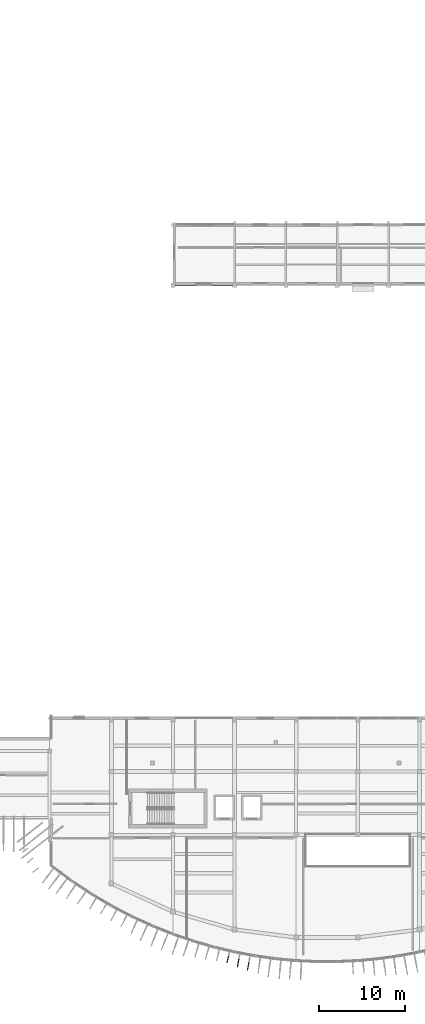
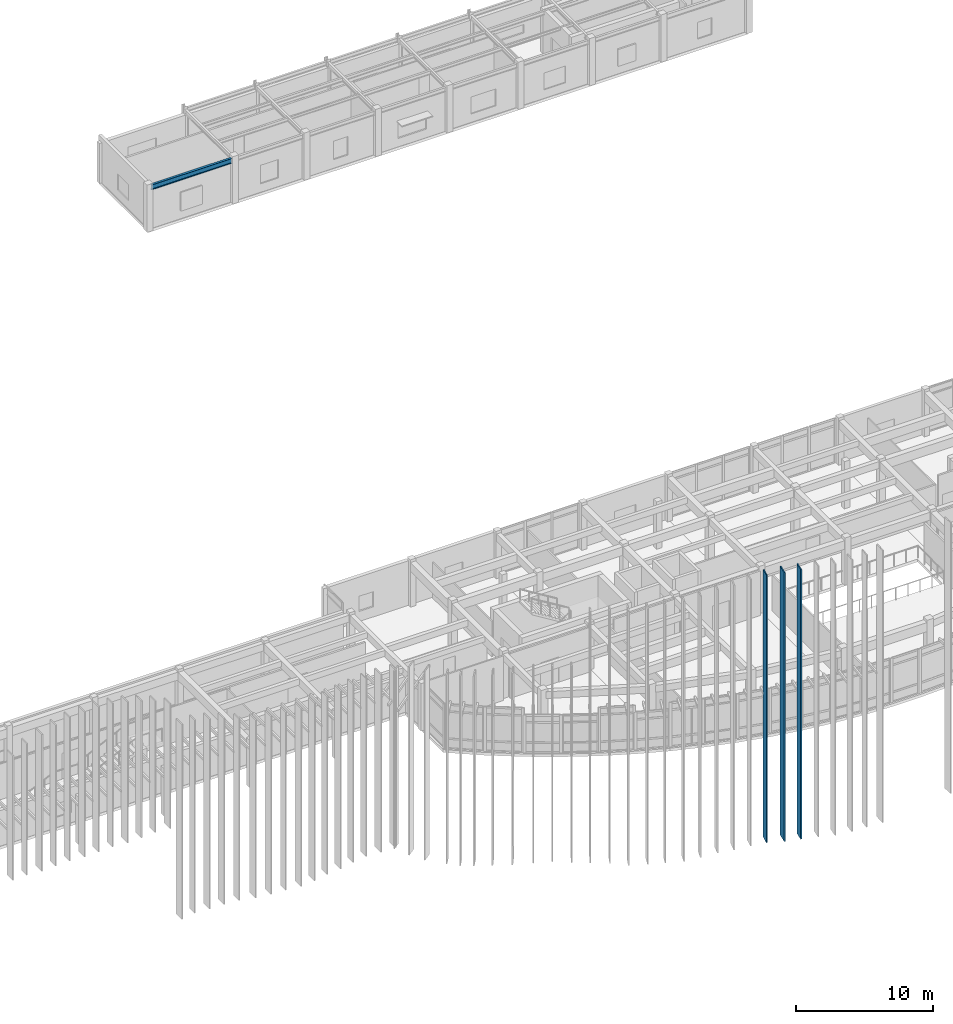
# One storey, part 16 of 47: 3 members, 1 beam.
"""IFC4 building model written with IfcOpenShell, lengths in metres."""

from ifc_helpers import new_model, si_unit, direction, frame, origin, origin_2d, place, context, subcontext, project, spatial, rectangle, i_section, extrude, material, material_profile, profile_set, type_object, element, save


model = new_model("IFC4")

# Units and contexts
model_context = context("Model", 3, precision=1e-05, world=origin(), true_north=direction((0.0, 1.0)))
body_context = subcontext(model_context, "Body", "Model", "MODEL_VIEW")
ifc_project = project(units=[si_unit("LENGTHUNIT", "METRE"), si_unit("AREAUNIT", "SQUARE_METRE"), si_unit("VOLUMEUNIT", "CUBIC_METRE"), si_unit("PLANEANGLEUNIT", "RADIAN"), si_unit("MASSUNIT", "GRAM", prefix="KILO")], contexts=[model_context])

# Site, building, storey
site_placement = place(None, origin())
site = spatial("IfcSite", under=ifc_project, at=site_placement, CompositionType="ELEMENT")
building_placement = place(site_placement, origin())
building = spatial("IfcBuilding", under=site, at=building_placement, Name="Brisavento Harbour Community Centre", CompositionType="ELEMENT")
storey_placement = place(building_placement, frame((0.0, 0.0, 8.699951171875)))
storey = spatial("IfcBuildingStorey", under=building, at=storey_placement, Name="L02", CompositionType="ELEMENT", Elevation=8.699951171875)

# Beam
ifc_material_1 = material(Name="Steel S355", Category="steel")
ifc_material_profile_1 = material_profile(ifc_material_1, i_section(OverallWidth=0.18994140625, OverallDepth=0.449951171875, WebThickness=0.009521484375, FlangeThickness=0.0146484375, FilletRadius=0.02099609375, at=origin_2d()), Name="Steel S355")
ifc_profile_set_1 = profile_set([ifc_material_profile_1], Name="Steel S355")
beam_type = type_object("IfcBeamType", Name="BM-STL-IPE450", PredefinedType="BEAM", material=ifc_profile_set_1)
beam_placement = place(storey_placement, frame((122.6201171875, 79.199951171875, 3.735107421875), z_axis=(1.0, 0.0, 0.0), x_axis=(0.0, 1.0, 0.0)))
element("IfcBeam", 1, at=beam_placement, inside=storey, type_object=beam_type, Name="L02 primary girder X0572", PredefinedType="BEAM", context=body_context, shape_type="SweptSolid", body=[
    extrude(i_section(OverallWidth=0.18994140625, OverallDepth=0.449951171875, WebThickness=0.009521484375, FlangeThickness=0.0146484375, FilletRadius=0.02099609375, at=origin_2d()), origin(), (0.0, 0.0, 1.0), 6.759765625),
])

# Members
ifc_material_2 = material(Name="Off-white marine-anodised aluminium AW-6063-T6", Category="aluminium")
ifc_material_profile_2 = material_profile(ifc_material_2, rectangle(XDim=0.090087890625, YDim=0.89990234375, at=origin_2d()), Name="Off-white marine-anodised aluminium AW-6063-T6")
ifc_profile_set_2 = profile_set([ifc_material_profile_2], Name="Off-white marine-anodised aluminium AW-6063-T6")
member_type_1 = type_object("IfcMemberType", Name="FIN-STORM-1", PredefinedType="USERDEFINED", material=ifc_profile_set_2)
member_1_placement = place(storey_placement, frame((130.00927734375, 0.00634765625, -8.699951171875), z_axis=(0.0, 0.0, 1.0), x_axis=(-0.982800241691, 0.184671830369, 0.0)))
element("IfcMember", 2, at=member_1_placement, inside=storey, type_object=member_type_1, Name="Standing-clear white storm fin 112", ObjectType="FIN", PredefinedType="USERDEFINED", context=body_context, shape_type="SweptSolid", body=[
    extrude(rectangle(XDim=0.090087890625, YDim=0.89990234375, at=origin_2d()), origin(), (0.0, 0.0, 1.0), 23.884521484375),
])
ifc_material_profile_3 = material_profile(ifc_material_2, rectangle(XDim=0.087890625, YDim=0.840087890625, at=origin_2d()), Name="Off-white marine-anodised aluminium AW-6063-T6")
ifc_profile_set_3 = profile_set([ifc_material_profile_3], Name="Off-white marine-anodised aluminium AW-6063-T6")
member_type_2 = type_object("IfcMemberType", Name="FIN-STORM-2", PredefinedType="USERDEFINED", material=ifc_profile_set_3)
member_2_placement = place(storey_placement, frame((131.178466796875, -0.38330078125, -8.699951171875), z_axis=(0.0, 0.0, 1.0), x_axis=(-0.982800241691, 0.184671830369, 0.0)))
element("IfcMember", 3, at=member_2_placement, inside=storey, type_object=member_type_2, Name="Standing-clear white storm fin 113", ObjectType="FIN", PredefinedType="USERDEFINED", context=body_context, shape_type="SweptSolid", body=[
    extrude(rectangle(XDim=0.087890625, YDim=0.840087890625, at=origin_2d()), origin(), (0.0, 0.0, 1.0), 23.970947265625),
])
ifc_material_profile_4 = material_profile(ifc_material_2, rectangle(XDim=0.0849609375, YDim=0.780029296875, at=origin_2d()), Name="Off-white marine-anodised aluminium AW-6063-T6")
ifc_profile_set_4 = profile_set([ifc_material_profile_4], Name="Off-white marine-anodised aluminium AW-6063-T6")
member_type_3 = type_object("IfcMemberType", Name="FIN-STORM-3", PredefinedType="USERDEFINED", material=ifc_profile_set_4)
member_3_placement = place(storey_placement, frame((128.802490234375, 0.443115234375, -8.699951171875), z_axis=(0.0, 0.0, 1.0), x_axis=(-0.972993863389, 0.230830981037, 0.0)))
element("IfcMember", 4, at=member_3_placement, inside=storey, type_object=member_type_3, Name="Standing-clear white storm fin 111", ObjectType="FIN", PredefinedType="USERDEFINED", context=body_context, shape_type="SweptSolid", body=[
    extrude(rectangle(XDim=0.0849609375, YDim=0.780029296875, at=origin_2d()), origin(), (0.0, 0.0, 1.0), 23.78466796875),
])

save(model, "model.ifc")
